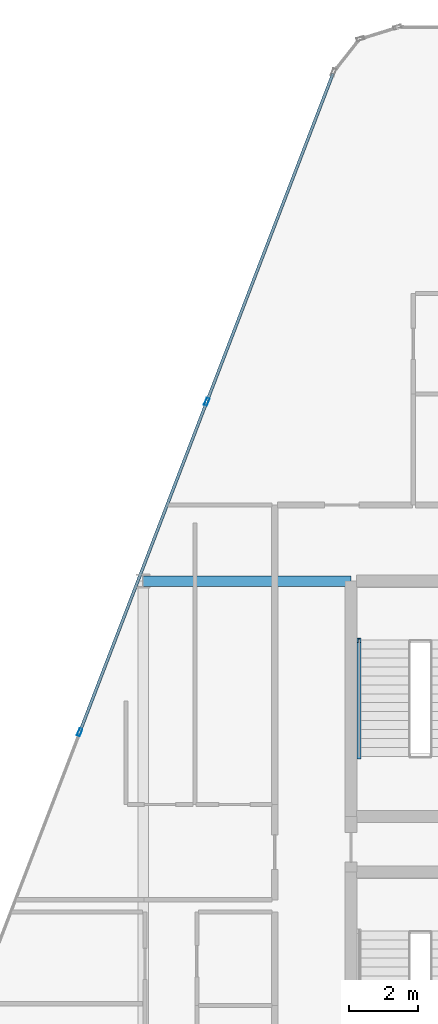
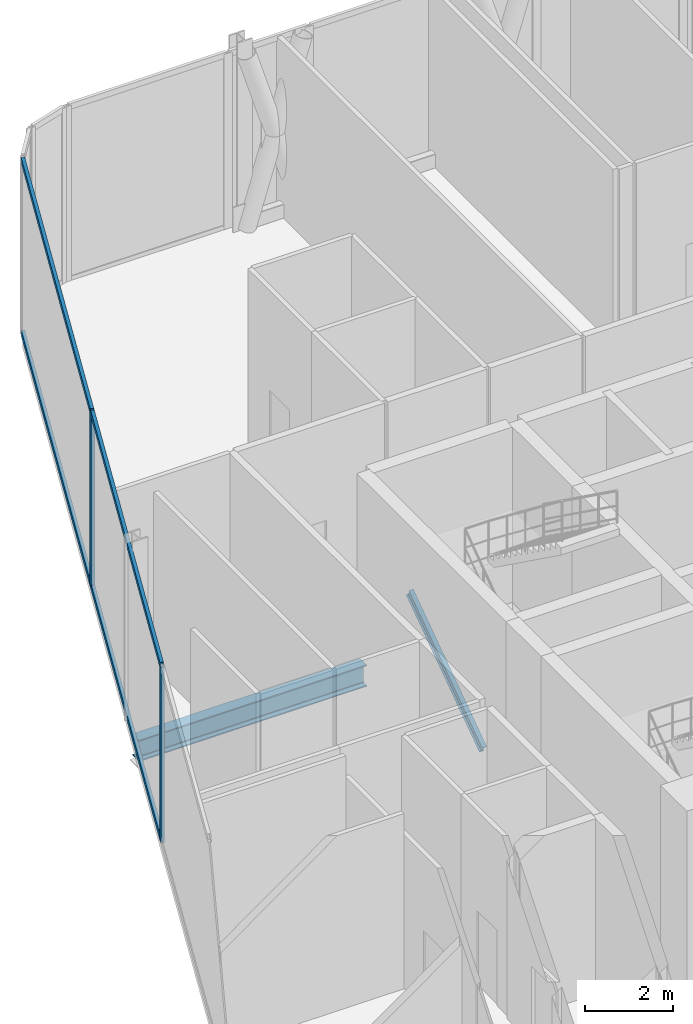
# One storey, part 12 of 36: 7 members, 1 beam, 1 element without a shape of its own.
"""IFC4 building model written with IfcOpenShell, lengths in metres."""

from ifc_helpers import new_model, si_unit, direction, frame, origin, origin_2d, place, context, subcontext, project, spatial, hollow_rectangle, i_section, extrude, material, layer, layer_set, material_profile, profile_set, type_object, element, aggregate, save


model = new_model("IFC4")

# Units and contexts
model_context = context("Model", 3, precision=1e-05, world=origin(), true_north=direction((0.0, 1.0)))
body_context = subcontext(model_context, "Body", "Model", "MODEL_VIEW")
ifc_project = project(units=[si_unit("LENGTHUNIT", "METRE"), si_unit("AREAUNIT", "SQUARE_METRE"), si_unit("VOLUMEUNIT", "CUBIC_METRE"), si_unit("PLANEANGLEUNIT", "RADIAN"), si_unit("MASSUNIT", "GRAM", prefix="KILO")], contexts=[model_context])

# Site, building, storey
site_placement = place(None, origin())
site = spatial("IfcSite", under=ifc_project, at=site_placement, CompositionType="ELEMENT")
building_placement = place(site_placement, origin())
building = spatial("IfcBuilding", under=site, at=building_placement, Name="Keshet Zoharim Tower", CompositionType="ELEMENT")
storey_placement = place(building_placement, frame((0.0, 0.0, 81.199951171875)))
storey = spatial("IfcBuildingStorey", under=building, at=storey_placement, Name="L19", CompositionType="ELEMENT", Elevation=81.199951171875)

# Beam
ifc_material_1 = material(Name="Steel S355", Category="steel")
ifc_material_profile_1 = material_profile(ifc_material_1, i_section(OverallWidth=0.300048828125, OverallDepth=0.60009765625, WebThickness=0.015380859375, FlangeThickness=0.030029296875, FilletRadius=0.027099609375, at=origin_2d()), Name="HEB600")
ifc_profile_set_1 = profile_set([ifc_material_profile_1], Name="Steel S355")
beam_type = type_object("IfcBeamType", Name="BM-WEB-HB600", PredefinedType="BEAM", material=ifc_profile_set_1)
beam_placement = place(storey_placement, frame((9.0, 37.89990234375, -0.719970703125), z_axis=(1.0, 0.0, 0.0), x_axis=(0.0, 1.0, 0.0)))
element("IfcBeam", 1, at=beam_placement, inside=storey, type_object=beam_type, Name="L19 Primary Girder X-028", PredefinedType="BEAM", context=body_context, shape_type="SweptSolid", body=[
    extrude(i_section(OverallWidth=0.300048828125, OverallDepth=0.60009765625, WebThickness=0.015380859375, FlangeThickness=0.030029296875, FilletRadius=0.027099609375, at=origin_2d()), origin(), (0.0, 0.0, 1.0), 6.0),
])

# Curtain wall, members
ifc_material_2 = material(Name="Aluminium 6063-T6", Category="aluminium")
ifc_layer = layer(ifc_material_2, 0.179931640625)
ifc_layer_set = layer_set([ifc_layer], Name="Aluminium 6063-T6")
curtain_wall_type = type_object("IfcCurtainWallType", Name="CW-SYS-01", PredefinedType="NOTDEFINED", material=ifc_layer_set)
curtain_wall_placement = place(storey_placement, origin())
curtain_wall = element("IfcCurtainWall", 2, at=curtain_wall_placement, inside=storey, type_object=curtain_wall_type, Name="L19 Unitised Curtain Wall 04", PredefinedType="NOTDEFINED")
ifc_material_profile_2 = material_profile(ifc_material_2, hollow_rectangle(XDim=0.090087890625, YDim=0.219970703125, WallThickness=0.0048828125, at=origin_2d()), Name="MUL-90x220")
ifc_profile_set_2 = profile_set([ifc_material_profile_2], Name="Aluminium 6063-T6")
member_type_1 = type_object("IfcMemberType", Name="CWM-M22", PredefinedType="MULLION", material=ifc_profile_set_2)
member_1_placement = place(storey_placement, frame((7.1669921875, 33.53466796875, 0.0), z_axis=(0.0, 0.0, 1.0), x_axis=(-0.933341404361, 0.358990003907, 0.0)))
member_1 = element("IfcMember", 3, at=member_1_placement, type_object=member_type_1, Name="CW-01 mullion 2", PredefinedType="MULLION", context=body_context, shape_type="SweptSolid", body=[
    extrude(hollow_rectangle(XDim=0.090087890625, YDim=0.219970703125, WallThickness=0.0048828125, at=origin_2d()), origin(), (0.0, 0.0, 1.0), 4.885009765625),
])
member_2_placement = place(storey_placement, frame((10.8369140625, 43.076416015625, 0.0), z_axis=(0.0, 0.0, 1.0), x_axis=(-0.933341404361, 0.358990003907, 0.0)))
member_2 = element("IfcMember", 4, at=member_2_placement, type_object=member_type_1, Name="CW-01 mullion 3", PredefinedType="MULLION", context=body_context, shape_type="SweptSolid", body=[
    extrude(hollow_rectangle(XDim=0.090087890625, YDim=0.219970703125, WallThickness=0.0048828125, at=origin_2d()), origin(), (0.0, 0.0, 1.0), 4.885009765625),
])
ifc_material_profile_3 = material_profile(ifc_material_2, hollow_rectangle(XDim=0.0849609375, YDim=0.159912109375, WallThickness=0.00439453125, at=origin_2d()), Name="TRN-85x160")
ifc_profile_set_3 = profile_set([ifc_material_profile_3], Name="Aluminium 6063-T6")
member_type_2 = type_object("IfcMemberType", Name="CWT-T16", PredefinedType="USERDEFINED", material=ifc_profile_set_3)
member_3_placement = place(storey_placement, frame((7.179443359375, 33.5673828125, 0.03515625), z_axis=(0.359003248899, 0.933336309848, 0.0), x_axis=(-0.933336309848, 0.359003248899, 0.0)))
member_3 = element("IfcMember", 5, at=member_3_placement, type_object=member_type_2, Name="CW-01 transom 2.1", ObjectType="TRANSOM", PredefinedType="USERDEFINED", context=body_context, shape_type="SweptSolid", body=[
    extrude(hollow_rectangle(XDim=0.0849609375, YDim=0.159912109375, WallThickness=0.00439453125, at=origin_2d()), origin(), (0.0, 0.0, 1.0), 10.153076171875),
])
member_4_placement = place(storey_placement, frame((7.179443359375, 33.5673828125, 4.85009765625), z_axis=(0.359003248899, 0.933336309848, 0.0), x_axis=(-0.933336309848, 0.359003248899, 0.0)))
member_4 = element("IfcMember", 6, at=member_4_placement, type_object=member_type_2, Name="CW-01 transom 2.2", ObjectType="TRANSOM", PredefinedType="USERDEFINED", context=body_context, shape_type="SweptSolid", body=[
    extrude(hollow_rectangle(XDim=0.0849609375, YDim=0.159912109375, WallThickness=0.00439453125, at=origin_2d()), origin(), (0.0, 0.0, 1.0), 10.153076171875),
])
member_5_placement = place(storey_placement, frame((10.849609375, 43.10888671875, 0.03515625), z_axis=(0.358985546764, 0.933343118694, 0.0), x_axis=(-0.933343118694, 0.358985546764, 0.0)))
member_5 = element("IfcMember", 7, at=member_5_placement, type_object=member_type_2, Name="CW-01 transom 3.1", ObjectType="TRANSOM", PredefinedType="USERDEFINED", context=body_context, shape_type="SweptSolid", body=[
    extrude(hollow_rectangle(XDim=0.0849609375, YDim=0.159912109375, WallThickness=0.00439453125, at=origin_2d()), origin(), (0.0, 0.0, 1.0), 10.118408203125),
])
member_6_placement = place(storey_placement, frame((10.849609375, 43.10888671875, 4.85009765625), z_axis=(0.358985546764, 0.933343118694, 0.0), x_axis=(-0.933343118694, 0.358985546764, 0.0)))
member_6 = element("IfcMember", 8, at=member_6_placement, type_object=member_type_2, Name="CW-01 transom 3.2", ObjectType="TRANSOM", PredefinedType="USERDEFINED", context=body_context, shape_type="SweptSolid", body=[
    extrude(hollow_rectangle(XDim=0.0849609375, YDim=0.159912109375, WallThickness=0.00439453125, at=origin_2d()), origin(), (0.0, 0.0, 1.0), 10.118408203125),
])
aggregate(curtain_wall, [member_1, member_2, member_3, member_4, member_5, member_6])

# Member
ifc_material_profile_4 = material_profile(ifc_material_1, i_section(OverallWidth=0.1201171875, OverallDepth=0.239990234375, WebThickness=0.006103515625, FlangeThickness=0.009765625, FilletRadius=0.014892578125, at=origin_2d()), Name="IPE240")
ifc_profile_set_4 = profile_set([ifc_material_profile_4], Name="Steel S355")
member_type_3 = type_object("IfcMemberType", Name="MB-STRG-IP240", PredefinedType="STRINGER", material=ifc_profile_set_4)
member_7_placement = place(storey_placement, frame((15.22998046875, 32.840087890625, 0.1201171875), z_axis=(0.0, 0.817847925587, 0.575434419037), x_axis=(-1.0, 0.0, 0.0)))
element("IfcMember", 9, at=member_7_placement, inside=storey, type_object=member_type_3, Name="L19 ST-02 Flight Steel Stringer", PredefinedType="STRINGER", context=body_context, shape_type="SweptSolid", body=[
    extrude(i_section(OverallWidth=0.1201171875, OverallDepth=0.239990234375, WebThickness=0.006103515625, FlangeThickness=0.009765625, FilletRadius=0.014892578125, at=origin_2d()), origin(), (0.0, 0.0, 1.0), 4.10107421875),
])

save(model, "model.ifc")
